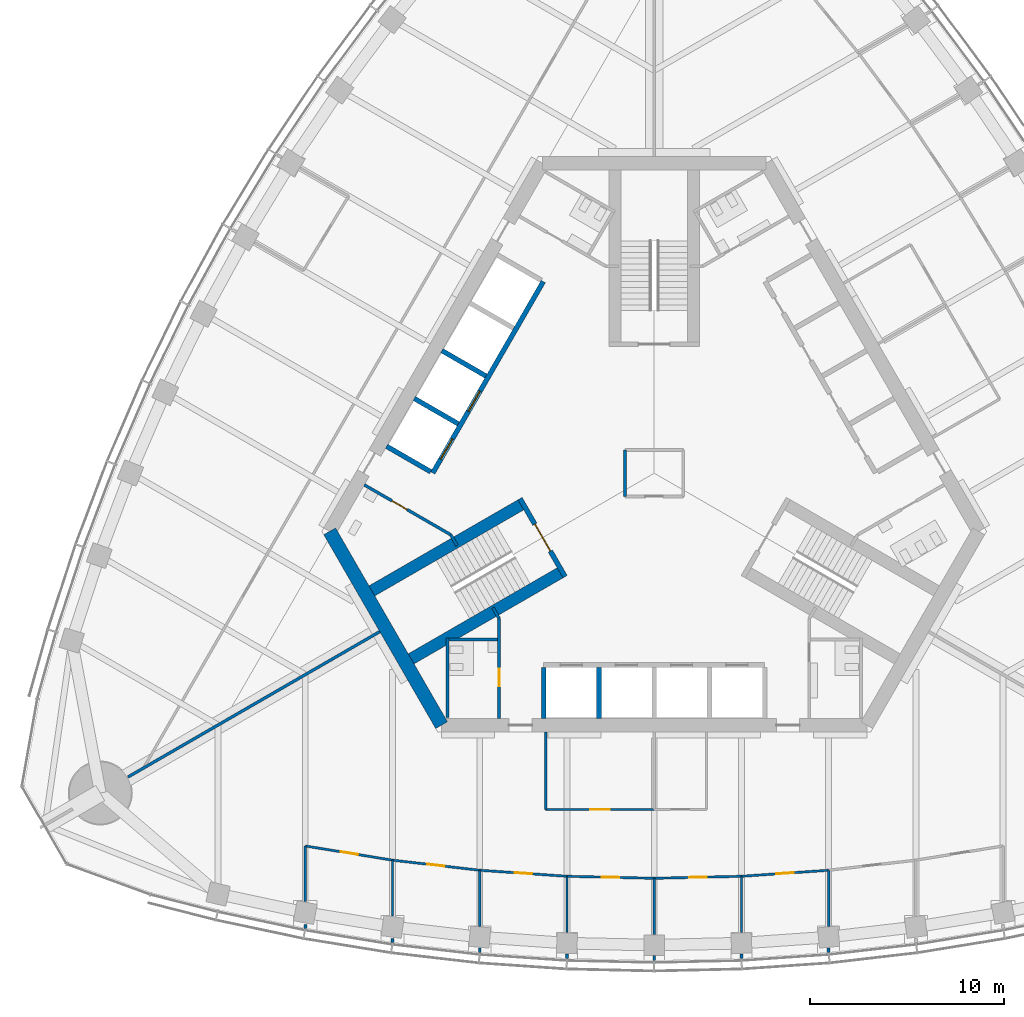
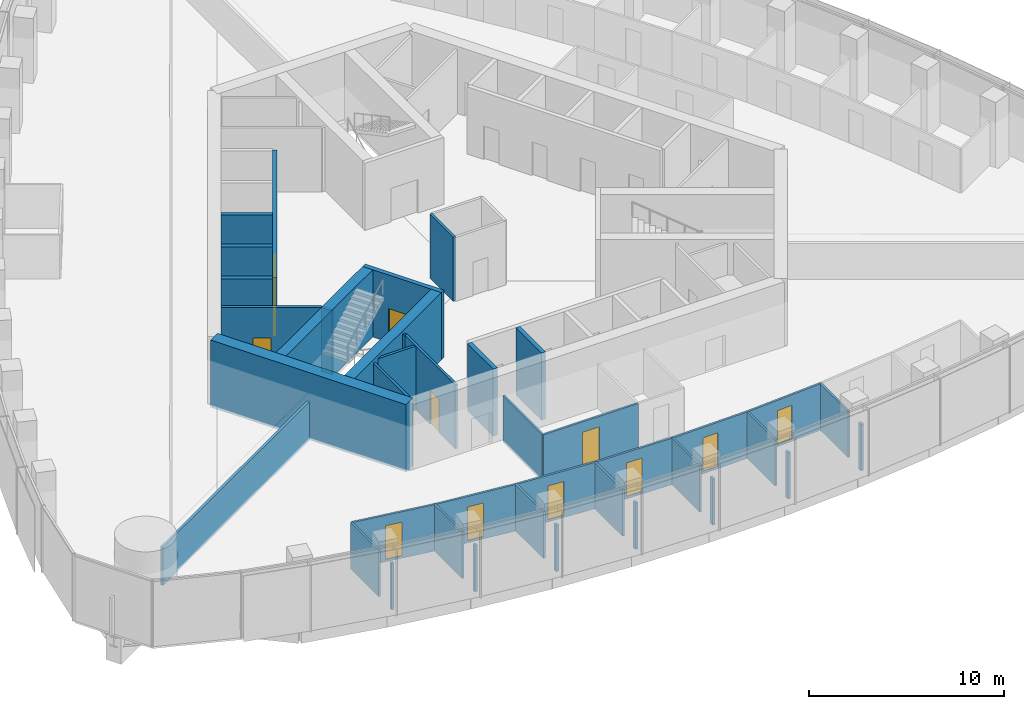
# One storey, part 11 of 20: 40 walls, 12 doors, 12 openings.
"""IFC4 building model written with IfcOpenShell, lengths in metres."""

from ifc_helpers import new_model, si_unit, direction, frame, frame_2d, origin, place, context, subcontext, project, spatial, rectangle, extrude, material, layer, layer_set, type_object, element, fill, save


model = new_model("IFC4")

# Units and contexts
model_context = context("Model", 3, precision=1e-05, world=origin(), true_north=direction((0.0, 1.0)))
body_context = subcontext(model_context, "Body", "Model", "MODEL_VIEW")
ifc_project = project(units=[si_unit("LENGTHUNIT", "METRE"), si_unit("AREAUNIT", "SQUARE_METRE"), si_unit("VOLUMEUNIT", "CUBIC_METRE"), si_unit("PLANEANGLEUNIT", "RADIAN"), si_unit("MASSUNIT", "GRAM", prefix="KILO")], contexts=[model_context])

# Site, building, storey
site_placement = place(None, origin())
site = spatial("IfcSite", under=ifc_project, at=site_placement, CompositionType="ELEMENT")
building_placement = place(site_placement, origin())
building = spatial("IfcBuilding", under=site, at=building_placement, Name="Trefoil Bronze Tower", CompositionType="ELEMENT")
storey_placement = place(building_placement, frame((0.0, 0.0, 231.699951171875)))
storey = spatial("IfcBuildingStorey", under=building, at=storey_placement, Name="L53", CompositionType="ELEMENT", Elevation=231.699951171875)

# Wall
ifc_material_1 = material(Name="Concrete B80", Category="concrete")
ifc_layer_1 = layer(ifc_material_1, 0.699951171875)
ifc_layer_set_1 = layer_set([ifc_layer_1], Name="Core wall 700")
wall_type_1 = type_object("IfcWallType", Name="Core wall 700", PredefinedType="SHEAR", material=ifc_layer_set_1)
wall_1_placement = place(storey_placement, frame((-16.7431640625, -3.0, 0.0), z_axis=(0.0, 0.0, 1.0), x_axis=(0.499995765644, -0.866027848477, 0.0)))
element("IfcWall", 1, at=wall_1_placement, inside=storey, type_object=wall_type_1, Name="Core short wall 3 L53", PredefinedType="SHEAR", context=body_context, shape_type="SweptSolid", body=[
    extrude(rectangle(XDim=11.546875, YDim=0.699951171875, at=frame_2d((5.7734375, 0.0))), origin(), (0.0, 0.0, 1.0), 4.199951171875),
])

# Wall, opening, door
ifc_material_2 = material(Name="Glazed partition", Category="glass")
ifc_layer_2 = layer(ifc_material_2, 0.1201171875)
ifc_layer_set_2 = layer_set([ifc_layer_2], Name="Glazed partition 120")
wall_type_2 = type_object("IfcWallType", Name="Glazed partition 120", PredefinedType="PARTITIONING", material=ifc_layer_set_2)
wall_2_placement = place(storey_placement, frame((-5.60009765625, -17.35009765625, 0.0), z_axis=(0.0, 0.0, 1.0), x_axis=(1.0, 0.0, 0.0)))
wall_2 = element("IfcWall", 2, at=wall_2_placement, inside=storey, type_object=wall_type_2, Name="Partition F1 L53", PredefinedType="PARTITIONING", context=body_context, shape_type="SweptSolid", body=[
    extrude(rectangle(XDim=5.60009765625, YDim=0.1201171875, at=frame_2d((2.800048828125, 0.0))), origin(), (0.0, 0.0, 1.0), 2.900146484375),
])
opening_1_placement = place(wall_2_placement, frame((2.300048828125, 0.0, 0.14990234375)))
opening_1 = element("IfcOpeningElement", 3, at=opening_1_placement, cuts=wall_2, Name="Opening D9", PredefinedType="OPENING", context=body_context, shape_type="SweptSolid", body=[
    extrude(rectangle(XDim=1.0, YDim=2.10009765625, at=frame_2d((0.5, 1.050048828125))), frame((0.0, 0.070068359375, 0.0), z_axis=(0.0, -1.0, 0.0), x_axis=(1.0, 0.0, 0.0)), (0.0, 0.0, 1.0), 0.14013671875),
])
ifc_material_3 = material(Name="Glazed timber door", Category="wood")
door_type_1 = type_object("IfcDoorType", Name="Meeting room door 1000", OperationType="SINGLE_SWING_LEFT", PredefinedType="DOOR", material=ifc_material_3)
door_1_placement = place(opening_1_placement, origin())
door_1 = element("IfcDoor", 4, at=door_1_placement, inside=storey, type_object=door_type_1, Name="Meeting room door F1 L53", OperationType="SINGLE_SWING_LEFT", OverallHeight=2.10009765625, OverallWidth=1.0, PredefinedType="DOOR", context=body_context, shape_type="SweptSolid", body=[
    extrude(rectangle(XDim=1.0, YDim=2.10009765625, at=frame_2d((0.5, 1.050048828125))), frame((0.0, 0.02490234375, 0.0), z_axis=(0.0, -1.0, 0.0), x_axis=(1.0, 0.0, 0.0)), (0.0, 0.0, 1.0), 0.050048828125),
])
fill(opening_1, door_1)

# Wall
wall_3_placement = place(storey_placement, frame((-5.60009765625, -13.35009765625, 0.0), z_axis=(0.0, 0.0, 1.0), x_axis=(0.0, -1.0, 0.0)))
element("IfcWall", 5, at=wall_3_placement, inside=storey, type_object=wall_type_2, Name="Partition F1 L53", PredefinedType="PARTITIONING", context=body_context, shape_type="SweptSolid", body=[
    extrude(rectangle(XDim=4.0, YDim=0.1201171875, at=frame_2d((2.0, 0.0))), origin(), (0.0, 0.0, 1.0), 2.900146484375),
])

# Wall, opening, door
wall_4_placement = place(storey_placement, frame((0.0, -20.900634765625, 0.0), z_axis=(0.0, 0.0, 1.0), x_axis=(0.99973552509, 0.022997388381, 0.0)))
wall_4 = element("IfcWall", 6, at=wall_4_placement, inside=storey, type_object=wall_type_2, Name="Partition F1 L53", PredefinedType="PARTITIONING", context=body_context, shape_type="SweptSolid", body=[
    extrude(rectangle(XDim=4.501220703125, YDim=0.1201171875, at=frame_2d((2.25048828125, 0.0))), origin(), (0.0, 0.0, 1.0), 2.900146484375),
])
opening_2_placement = place(wall_4_placement, frame((1.800048828125, 0.0, 0.14990234375)))
opening_2 = element("IfcOpeningElement", 7, at=opening_2_placement, cuts=wall_4, Name="Opening D8", PredefinedType="OPENING", context=body_context, shape_type="SweptSolid", body=[
    extrude(rectangle(XDim=0.89990234375, YDim=2.10009765625, at=frame_2d((0.449951171875, 1.050048828125))), frame((0.0, 0.070068359375, 0.0), z_axis=(0.0, -1.0, 0.0), x_axis=(1.0, 0.0, 0.0)), (0.0, 0.0, 1.0), 0.14013671875),
])
ifc_material_4 = material(Name="Timber door", Category="wood")
door_type_2 = type_object("IfcDoorType", Name="Office door 900", OperationType="SINGLE_SWING_LEFT", PredefinedType="DOOR", material=ifc_material_4)
door_2_placement = place(opening_2_placement, frame((0.89990234375, 0.0, 0.0), z_axis=(0.0, 0.0, 1.0), x_axis=(-1.0, 0.0, 0.0)))
door_2 = element("IfcDoor", 8, at=door_2_placement, inside=storey, type_object=door_type_2, Name="Office door F1 L53", OperationType="SINGLE_SWING_RIGHT", OverallHeight=2.10009765625, OverallWidth=0.89990234375, PredefinedType="DOOR", context=body_context, shape_type="SweptSolid", body=[
    extrude(rectangle(XDim=0.89990234375, YDim=2.10009765625, at=frame_2d((0.449951171875, 1.050048828125))), frame((0.0, 0.02490234375, 0.0), z_axis=(0.0, -1.0, 0.0), x_axis=(1.0, 0.0, 0.0)), (0.0, 0.0, 1.0), 0.050048828125),
])
fill(opening_2, door_2)

wall_5_placement = place(storey_placement, frame((4.5, -20.797119140625, 0.0), z_axis=(0.0, 0.0, 1.0), x_axis=(0.997623533978, 0.068900540297, 0.0)))
wall_5 = element("IfcWall", 9, at=wall_5_placement, inside=storey, type_object=wall_type_2, Name="Partition F1 L53", PredefinedType="PARTITIONING", context=body_context, shape_type="SweptSolid", body=[
    extrude(rectangle(XDim=4.5107421875, YDim=0.1201171875, at=frame_2d((2.25537109375, 0.0))), origin(), (0.0, 0.0, 1.0), 2.900146484375),
])
opening_3_placement = place(wall_5_placement, frame((1.800048828125, 0.0, 0.14990234375)))
opening_3 = element("IfcOpeningElement", 10, at=opening_3_placement, cuts=wall_5, Name="Opening D8", PredefinedType="OPENING", context=body_context, shape_type="SweptSolid", body=[
    extrude(rectangle(XDim=0.89990234375, YDim=2.10009765625, at=frame_2d((0.449951171875, 1.050048828125))), frame((0.0, 0.070068359375, 0.0), z_axis=(0.0, -1.0, 0.0), x_axis=(1.0, 0.0, 0.0)), (0.0, 0.0, 1.0), 0.14013671875),
])
door_3_placement = place(opening_3_placement, frame((0.89990234375, 0.0, 0.0), z_axis=(0.0, 0.0, 1.0), x_axis=(-1.0, 0.0, 0.0)))
door_3 = element("IfcDoor", 11, at=door_3_placement, inside=storey, type_object=door_type_2, Name="Office door F1 L53", OperationType="SINGLE_SWING_RIGHT", OverallHeight=2.10009765625, OverallWidth=0.89990234375, PredefinedType="DOOR", context=body_context, shape_type="SweptSolid", body=[
    extrude(rectangle(XDim=0.89990234375, YDim=2.10009765625, at=frame_2d((0.449951171875, 1.050048828125))), frame((0.0, 0.02490234375, 0.0), z_axis=(0.0, -1.0, 0.0), x_axis=(1.0, 0.0, 0.0)), (0.0, 0.0, 1.0), 0.050048828125),
])
fill(opening_3, door_3)

wall_6_placement = place(storey_placement, frame((-13.5, -19.966064453125, 0.0), z_axis=(0.0, 0.0, 1.0), x_axis=(0.993382946625, -0.114849124309, 0.0)))
wall_6 = element("IfcWall", 12, at=wall_6_placement, inside=storey, type_object=wall_type_2, Name="Partition F1 L53", PredefinedType="PARTITIONING", context=body_context, shape_type="SweptSolid", body=[
    extrude(rectangle(XDim=4.530029296875, YDim=0.1201171875, at=frame_2d((2.26513671875, 0.0))), origin(), (0.0, 0.0, 1.0), 2.900146484375),
])
opening_4_placement = place(wall_6_placement, frame((1.800048828125, 0.0, 0.14990234375)))
opening_4 = element("IfcOpeningElement", 13, at=opening_4_placement, cuts=wall_6, Name="Opening D8", PredefinedType="OPENING", context=body_context, shape_type="SweptSolid", body=[
    extrude(rectangle(XDim=0.89990234375, YDim=2.10009765625, at=frame_2d((0.449951171875, 1.050048828125))), frame((0.0, 0.070068359375, 0.0), z_axis=(0.0, -1.0, 0.0), x_axis=(1.0, 0.0, 0.0)), (0.0, 0.0, 1.0), 0.14013671875),
])
door_4_placement = place(opening_4_placement, frame((0.89990234375, 0.0, 0.0), z_axis=(0.0, 0.0, 1.0), x_axis=(-1.0, 0.0, 0.0)))
door_4 = element("IfcDoor", 14, at=door_4_placement, inside=storey, type_object=door_type_2, Name="Office door F1 L53", OperationType="SINGLE_SWING_RIGHT", OverallHeight=2.10009765625, OverallWidth=0.89990234375, PredefinedType="DOOR", context=body_context, shape_type="SweptSolid", body=[
    extrude(rectangle(XDim=0.89990234375, YDim=2.10009765625, at=frame_2d((0.449951171875, 1.050048828125))), frame((0.0, 0.02490234375, 0.0), z_axis=(0.0, -1.0, 0.0), x_axis=(1.0, 0.0, 0.0)), (0.0, 0.0, 1.0), 0.050048828125),
])
fill(opening_4, door_4)

wall_7_placement = place(storey_placement, frame((-18.0, -19.23291015625, 0.0), z_axis=(0.0, 0.0, 1.0), x_axis=(0.986986525477, -0.160802980469, 0.0)))
wall_7 = element("IfcWall", 15, at=wall_7_placement, inside=storey, type_object=wall_type_2, Name="Partition F1 L53", PredefinedType="PARTITIONING", context=body_context, shape_type="SweptSolid", body=[
    extrude(rectangle(XDim=4.559326171875, YDim=0.1201171875, at=frame_2d((2.27978515625, 0.0))), origin(), (0.0, 0.0, 1.0), 2.900146484375),
])
opening_5_placement = place(wall_7_placement, frame((1.85009765625, 0.0, 0.14990234375)))
opening_5 = element("IfcOpeningElement", 16, at=opening_5_placement, cuts=wall_7, Name="Opening D8", PredefinedType="OPENING", context=body_context, shape_type="SweptSolid", body=[
    extrude(rectangle(XDim=0.89990234375, YDim=2.10009765625, at=frame_2d((0.449951171875, 1.050048828125))), frame((0.0, 0.070068359375, 0.0), z_axis=(0.0, -1.0, 0.0), x_axis=(1.0, 0.0, 0.0)), (0.0, 0.0, 1.0), 0.14013671875),
])
door_5_placement = place(opening_5_placement, frame((0.89990234375, 0.0, 0.0), z_axis=(0.0, 0.0, 1.0), x_axis=(-1.0, 0.0, 0.0)))
door_5 = element("IfcDoor", 17, at=door_5_placement, inside=storey, type_object=door_type_2, Name="Office door F1 L53", OperationType="SINGLE_SWING_LEFT", OverallHeight=2.10009765625, OverallWidth=0.89990234375, PredefinedType="DOOR", context=body_context, shape_type="SweptSolid", body=[
    extrude(rectangle(XDim=0.89990234375, YDim=2.10009765625, at=frame_2d((0.449951171875, 1.050048828125))), frame((0.0, 0.02490234375, 0.0), z_axis=(0.0, -1.0, 0.0), x_axis=(1.0, 0.0, 0.0)), (0.0, 0.0, 1.0), 0.050048828125),
])
fill(opening_5, door_5)

wall_8_placement = place(storey_placement, frame((-4.5, -20.797119140625, 0.0), z_axis=(0.0, 0.0, 1.0), x_axis=(0.99973552509, -0.022997388381, 0.0)))
wall_8 = element("IfcWall", 18, at=wall_8_placement, inside=storey, type_object=wall_type_2, Name="Partition F1 L53", PredefinedType="PARTITIONING", context=body_context, shape_type="SweptSolid", body=[
    extrude(rectangle(XDim=4.501220703125, YDim=0.1201171875, at=frame_2d((2.25048828125, 0.0))), origin(), (0.0, 0.0, 1.0), 2.900146484375),
])
opening_6_placement = place(wall_8_placement, frame((1.800048828125, 0.0, 0.14990234375)))
opening_6 = element("IfcOpeningElement", 19, at=opening_6_placement, cuts=wall_8, Name="Opening D8", PredefinedType="OPENING", context=body_context, shape_type="SweptSolid", body=[
    extrude(rectangle(XDim=0.89990234375, YDim=2.10009765625, at=frame_2d((0.449951171875, 1.050048828125))), frame((0.0, 0.070068359375, 0.0), z_axis=(0.0, -1.0, 0.0), x_axis=(1.0, 0.0, 0.0)), (0.0, 0.0, 1.0), 0.14013671875),
])
door_6_placement = place(opening_6_placement, frame((0.89990234375, 0.0, 0.0), z_axis=(0.0, 0.0, 1.0), x_axis=(-1.0, 0.0, 0.0)))
door_6 = element("IfcDoor", 20, at=door_6_placement, inside=storey, type_object=door_type_2, Name="Office door F1 L53", OperationType="SINGLE_SWING_RIGHT", OverallHeight=2.10009765625, OverallWidth=0.89990234375, PredefinedType="DOOR", context=body_context, shape_type="SweptSolid", body=[
    extrude(rectangle(XDim=0.89990234375, YDim=2.10009765625, at=frame_2d((0.449951171875, 1.050048828125))), frame((0.0, 0.02490234375, 0.0), z_axis=(0.0, -1.0, 0.0), x_axis=(1.0, 0.0, 0.0)), (0.0, 0.0, 1.0), 0.050048828125),
])
fill(opening_6, door_6)

wall_9_placement = place(storey_placement, frame((-9.0, -20.486328125, 0.0), z_axis=(0.0, 0.0, 1.0), x_axis=(0.997623533978, -0.068900540297, 0.0)))
wall_9 = element("IfcWall", 21, at=wall_9_placement, inside=storey, type_object=wall_type_2, Name="Partition F1 L53", PredefinedType="PARTITIONING", context=body_context, shape_type="SweptSolid", body=[
    extrude(rectangle(XDim=4.5107421875, YDim=0.1201171875, at=frame_2d((2.25537109375, 0.0))), origin(), (0.0, 0.0, 1.0), 2.900146484375),
])
opening_7_placement = place(wall_9_placement, frame((1.800048828125, 0.0, 0.14990234375)))
opening_7 = element("IfcOpeningElement", 22, at=opening_7_placement, cuts=wall_9, Name="Opening D8", PredefinedType="OPENING", context=body_context, shape_type="SweptSolid", body=[
    extrude(rectangle(XDim=0.89990234375, YDim=2.10009765625, at=frame_2d((0.449951171875, 1.050048828125))), frame((0.0, 0.070068359375, 0.0), z_axis=(0.0, -1.0, 0.0), x_axis=(1.0, 0.0, 0.0)), (0.0, 0.0, 1.0), 0.14013671875),
])
door_7_placement = place(opening_7_placement, frame((0.89990234375, 0.0, 0.0), z_axis=(0.0, 0.0, 1.0), x_axis=(-1.0, 0.0, 0.0)))
door_7 = element("IfcDoor", 23, at=door_7_placement, inside=storey, type_object=door_type_2, Name="Office door F1 L53", OperationType="SINGLE_SWING_RIGHT", OverallHeight=2.10009765625, OverallWidth=0.89990234375, PredefinedType="DOOR", context=body_context, shape_type="SweptSolid", body=[
    extrude(rectangle(XDim=0.89990234375, YDim=2.10009765625, at=frame_2d((0.449951171875, 1.050048828125))), frame((0.0, 0.02490234375, 0.0), z_axis=(0.0, -1.0, 0.0), x_axis=(1.0, 0.0, 0.0)), (0.0, 0.0, 1.0), 0.050048828125),
])
fill(opening_7, door_7)

# Walls
wall_10_placement = place(storey_placement, frame((0.0, -20.900634765625, 0.0), z_axis=(0.0, 0.0, 1.0), x_axis=(0.0, -1.0, 0.0)))
element("IfcWall", 24, at=wall_10_placement, inside=storey, type_object=wall_type_2, Name="Partition F1 L53", PredefinedType="PARTITIONING", context=body_context, shape_type="SweptSolid", body=[
    extrude(rectangle(XDim=2.89501953125, YDim=0.1201171875, at=frame_2d((1.447509765625, 0.0))), origin(), (0.0, 0.0, 1.0), 2.900146484375),
])
wall_11_placement = place(storey_placement, frame((4.5, -20.797119140625, 0.0), z_axis=(0.0, 0.0, 1.0), x_axis=(0.0, -1.0, 0.0)))
element("IfcWall", 25, at=wall_11_placement, inside=storey, type_object=wall_type_2, Name="Partition F1 L53", PredefinedType="PARTITIONING", context=body_context, shape_type="SweptSolid", body=[
    extrude(rectangle(XDim=2.893798828125, YDim=0.1201171875, at=frame_2d((1.44677734375, 0.0))), origin(), (0.0, 0.0, 1.0), 2.900146484375),
])
wall_12_placement = place(storey_placement, frame((9.0, -20.486328125, 0.0), z_axis=(0.0, 0.0, 1.0), x_axis=(0.0, -1.0, 0.0)))
element("IfcWall", 26, at=wall_12_placement, inside=storey, type_object=wall_type_2, Name="Partition F1 L53", PredefinedType="PARTITIONING", context=body_context, shape_type="SweptSolid", body=[
    extrude(rectangle(XDim=2.889404296875, YDim=0.1201171875, at=frame_2d((1.44482421875, 0.0))), origin(), (0.0, 0.0, 1.0), 2.900146484375),
])
wall_13_placement = place(storey_placement, frame((-13.5, -19.966064453125, 0.0), z_axis=(0.0, 0.0, 1.0), x_axis=(0.0, -1.0, 0.0)))
element("IfcWall", 27, at=wall_13_placement, inside=storey, type_object=wall_type_2, Name="Partition F1 L53", PredefinedType="PARTITIONING", context=body_context, shape_type="SweptSolid", body=[
    extrude(rectangle(XDim=2.882080078125, YDim=0.1201171875, at=frame_2d((1.44091796875, 0.0))), origin(), (0.0, 0.0, 1.0), 2.900146484375),
])
wall_14_placement = place(storey_placement, frame((-18.0, -19.23291015625, 0.0), z_axis=(0.0, 0.0, 1.0), x_axis=(0.0, -1.0, 0.0)))
element("IfcWall", 28, at=wall_14_placement, inside=storey, type_object=wall_type_2, Name="Partition F1 L53", PredefinedType="PARTITIONING", context=body_context, shape_type="SweptSolid", body=[
    extrude(rectangle(XDim=2.87158203125, YDim=0.1201171875, at=frame_2d((1.435791015625, 0.0))), origin(), (0.0, 0.0, 1.0), 2.900146484375),
])
wall_15_placement = place(storey_placement, frame((-4.5, -20.797119140625, 0.0), z_axis=(0.0, 0.0, 1.0), x_axis=(0.0, -1.0, 0.0)))
element("IfcWall", 29, at=wall_15_placement, inside=storey, type_object=wall_type_2, Name="Partition F1 L53", PredefinedType="PARTITIONING", context=body_context, shape_type="SweptSolid", body=[
    extrude(rectangle(XDim=2.893798828125, YDim=0.1201171875, at=frame_2d((1.44677734375, 0.0))), origin(), (0.0, 0.0, 1.0), 2.900146484375),
])
wall_16_placement = place(storey_placement, frame((-9.0, -20.486328125, 0.0), z_axis=(0.0, 0.0, 1.0), x_axis=(0.0, -1.0, 0.0)))
element("IfcWall", 30, at=wall_16_placement, inside=storey, type_object=wall_type_2, Name="Partition F1 L53", PredefinedType="PARTITIONING", context=body_context, shape_type="SweptSolid", body=[
    extrude(rectangle(XDim=2.889404296875, YDim=0.1201171875, at=frame_2d((1.44482421875, 0.0))), origin(), (0.0, 0.0, 1.0), 2.900146484375),
])

# Wall, opening, door
ifc_material_5 = material(Name="Gypsum board on steel studs", Category="steel")
ifc_layer_3 = layer(ifc_material_5, 0.14990234375)
ifc_layer_set_3 = layer_set([ifc_layer_3], Name="Partition 150")
wall_type_3 = type_object("IfcWallType", Name="Partition 150", PredefinedType="PARTITIONING", material=ifc_layer_set_3)
wall_17_placement = place(storey_placement, frame((-8.0, -7.5, 0.0), z_axis=(0.0, 0.0, 1.0), x_axis=(0.0, -1.0, 0.0)))
wall_17 = element("IfcWall", 31, at=wall_17_placement, inside=storey, type_object=wall_type_3, Name="Passage wall F1- L53", PredefinedType="PARTITIONING", context=body_context, shape_type="SweptSolid", body=[
    extrude(rectangle(XDim=5.14990234375, YDim=0.14990234375, at=frame_2d((2.574951171875, 0.0))), origin(), (0.0, 0.0, 1.0), 4.0),
])
opening_8_placement = place(wall_17_placement, frame((2.60009765625, 0.0, 0.0)))
opening_8 = element("IfcOpeningElement", 32, at=opening_8_placement, cuts=wall_17, Name="Opening D3", PredefinedType="OPENING", context=body_context, shape_type="SweptSolid", body=[
    extrude(rectangle(XDim=0.89990234375, YDim=2.10009765625, at=frame_2d((0.449951171875, 1.050048828125))), frame((0.0, 0.0849609375, 0.0), z_axis=(0.0, -1.0, 0.0), x_axis=(1.0, 0.0, 0.0)), (0.0, 0.0, 1.0), 0.169921875),
])
ifc_material_6 = material(Name="Timber door", Category="wood")
door_type_3 = type_object("IfcDoorType", Name="WC door 900", OperationType="SINGLE_SWING_LEFT", PredefinedType="DOOR", material=ifc_material_6)
door_8_placement = place(opening_8_placement, frame((0.89990234375, 0.0, 0.0), z_axis=(0.0, 0.0, 1.0), x_axis=(-1.0, 0.0, 0.0)))
door_8 = element("IfcDoor", 33, at=door_8_placement, inside=storey, type_object=door_type_3, Name="WC (women) door L53", OperationType="SINGLE_SWING_RIGHT", OverallHeight=2.10009765625, OverallWidth=0.89990234375, PredefinedType="DOOR", context=body_context, shape_type="SweptSolid", body=[
    extrude(rectangle(XDim=0.89990234375, YDim=2.10009765625, at=frame_2d((0.449951171875, 1.050048828125))), frame((0.0, 0.02490234375, 0.0), z_axis=(0.0, -1.0, 0.0), x_axis=(1.0, 0.0, 0.0)), (0.0, 0.0, 1.0), 0.050048828125),
])
fill(opening_8, door_8)

wall_18_placement = place(storey_placement, frame((-10.4951171875, -3.17822265625, 0.0), z_axis=(0.0, 0.0, 1.0), x_axis=(-0.866037967349, 0.499978238636, 0.0)))
wall_18 = element("IfcWall", 34, at=wall_18_placement, inside=storey, type_object=wall_type_3, Name="Passage wall F3+ L53", PredefinedType="PARTITIONING", context=body_context, shape_type="SweptSolid", body=[
    extrude(rectangle(XDim=5.150146484375, YDim=0.14990234375, at=frame_2d((2.5751953125, 0.0))), origin(), (0.0, 0.0, 1.0), 4.0),
])
opening_9_placement = place(wall_18_placement, frame((2.60009765625, 0.0, 0.0)))
opening_9 = element("IfcOpeningElement", 35, at=opening_9_placement, cuts=wall_18, Name="Opening D3", PredefinedType="OPENING", context=body_context, shape_type="SweptSolid", body=[
    extrude(rectangle(XDim=0.89990234375, YDim=2.10009765625, at=frame_2d((0.449951171875, 1.050048828125))), frame((0.0, 0.0849609375, 0.0), z_axis=(0.0, -1.0, 0.0), x_axis=(1.0, 0.0, 0.0)), (0.0, 0.0, 1.0), 0.169921875),
])
door_9_placement = place(opening_9_placement, origin())
door_9 = element("IfcDoor", 36, at=door_9_placement, inside=storey, type_object=door_type_3, Name="Accessible WC door L53", OperationType="SINGLE_SWING_RIGHT", OverallHeight=2.10009765625, OverallWidth=0.89990234375, PredefinedType="DOOR", context=body_context, shape_type="SweptSolid", body=[
    extrude(rectangle(XDim=0.89990234375, YDim=2.10009765625, at=frame_2d((0.449951171875, 1.050048828125))), frame((0.0, 0.02490234375, 0.0), z_axis=(0.0, -1.0, 0.0), x_axis=(1.0, 0.0, 0.0)), (0.0, 0.0, 1.0), 0.050048828125),
])
fill(opening_9, door_9)

# Walls
for number, where, z_axis, x_axis, name in (
    (37, (-10.4951171875, -3.17822265625, 0.0), (0.0, 0.0, 1.0), (0.499842556608, -0.866116284689, 0.0), "WC wall ST3-1 L53"),
    (38, (-8.0, -7.5, 0.0), (0.0, 0.0, 1.0), (-0.499842556608, 0.866116284689, 0.0), "WC wall ST3+1 L53"),
):
    element("IfcWall", number, at=place(storey_placement, frame(where, z_axis=z_axis, x_axis=x_axis)), inside=storey, type_object=wall_type_3, Name=name, PredefinedType="PARTITIONING", context=body_context, shape_type="SweptSolid", body=[
        extrude(rectangle(XDim=0.645263671875, YDim=0.14990234375, at=frame_2d((0.32275390625, 0.0))), origin(), (0.0, 0.0, 1.0), 4.0),
    ])
wall_19_placement = place(storey_placement, frame((-10.659912109375, -8.5, 0.0), z_axis=(0.0, 0.0, 1.0), x_axis=(0.0, -1.0, 0.0)))
element("IfcWall", 39, at=wall_19_placement, inside=storey, type_object=wall_type_3, Name="WC partition WC (women) L53", PredefinedType="PARTITIONING", context=body_context, shape_type="SweptSolid", body=[
    extrude(rectangle(XDim=4.10009765625, YDim=0.14990234375, at=frame_2d((2.050048828125, 0.0))), origin(), (0.0, 0.0, 1.0), 4.0),
])
wall_20_placement = place(storey_placement, frame((-8.074951171875, -8.574951171875, 0.0), z_axis=(0.0, 0.0, 1.0), x_axis=(-1.0, 0.0, 0.0)))
element("IfcWall", 40, at=wall_20_placement, inside=storey, type_object=wall_type_3, Name="WC partition WC (women) L53", PredefinedType="PARTITIONING", context=body_context, shape_type="SweptSolid", body=[
    extrude(rectangle(XDim=2.510009765625, YDim=0.14990234375, at=frame_2d((1.2548828125, 0.0))), origin(), (0.0, 0.0, 1.0), 4.0),
])
wall_21_placement = place(storey_placement, frame((4.5, -24.799072265625, 0.0), z_axis=(0.0, 0.0, 1.0), x_axis=(0.0, -1.0, 0.0)))
element("IfcWall", 41, at=wall_21_placement, inside=storey, type_object=wall_type_3, Name="Partition F1 L53", PredefinedType="PARTITIONING", context=body_context, shape_type="SweptSolid", body=[
    extrude(rectangle(XDim=0.2431640625, YDim=0.14990234375, at=frame_2d((0.12158203125, 0.0))), origin(), (0.0, 0.0, 1.0), 2.900146484375),
])
wall_22_placement = place(storey_placement, frame((9.0, -24.508056640625, 0.0), z_axis=(0.0, 0.0, 1.0), x_axis=(0.0, -1.0, 0.0)))
element("IfcWall", 42, at=wall_22_placement, inside=storey, type_object=wall_type_3, Name="Partition F1 L53", PredefinedType="PARTITIONING", context=body_context, shape_type="SweptSolid", body=[
    extrude(rectangle(XDim=0.223388671875, YDim=0.14990234375, at=frame_2d((0.11181640625, 0.0))), origin(), (0.0, 0.0, 1.0), 2.900146484375),
])
wall_23_placement = place(storey_placement, frame((0.0, -24.879638671875, 0.0), z_axis=(0.0, 0.0, 1.0), x_axis=(0.0, -1.0, 0.0)))
element("IfcWall", 43, at=wall_23_placement, inside=storey, type_object=wall_type_3, Name="Partition F1 L53", PredefinedType="PARTITIONING", context=body_context, shape_type="SweptSolid", body=[
    extrude(rectangle(XDim=0.26611328125, YDim=0.14990234375, at=frame_2d((0.133056640625, 0.0))), origin(), (0.0, 0.0, 1.0), 2.900146484375),
])
wall_24_placement = place(storey_placement, frame((-13.5, -24.0048828125, 0.0), z_axis=(0.0, 0.0, 1.0), x_axis=(0.0, -1.0, 0.0)))
element("IfcWall", 44, at=wall_24_placement, inside=storey, type_object=wall_type_3, Name="Partition F1 L53", PredefinedType="PARTITIONING", context=body_context, shape_type="SweptSolid", body=[
    extrude(rectangle(XDim=0.206298828125, YDim=0.14990234375, at=frame_2d((0.10302734375, 0.0))), origin(), (0.0, 0.0, 1.0), 2.900146484375),
])
wall_25_placement = place(storey_placement, frame((-18.0, -23.285888671875, 0.0), z_axis=(0.0, 0.0, 1.0), x_axis=(0.0, -1.0, 0.0)))
element("IfcWall", 45, at=wall_25_placement, inside=storey, type_object=wall_type_3, Name="Partition F1 L53", PredefinedType="PARTITIONING", context=body_context, shape_type="SweptSolid", body=[
    extrude(rectangle(XDim=0.192138671875, YDim=0.14990234375, at=frame_2d((0.09619140625, 0.0))), origin(), (0.0, 0.0, 1.0), 2.900146484375),
])
wall_26_placement = place(storey_placement, frame((-4.5, -24.799072265625, 0.0), z_axis=(0.0, 0.0, 1.0), x_axis=(0.0, -1.0, 0.0)))
element("IfcWall", 46, at=wall_26_placement, inside=storey, type_object=wall_type_3, Name="Partition F1 L53", PredefinedType="PARTITIONING", context=body_context, shape_type="SweptSolid", body=[
    extrude(rectangle(XDim=0.2431640625, YDim=0.14990234375, at=frame_2d((0.12158203125, 0.0))), origin(), (0.0, 0.0, 1.0), 2.900146484375),
])
wall_27_placement = place(storey_placement, frame((-9.0, -24.508056640625, 0.0), z_axis=(0.0, 0.0, 1.0), x_axis=(0.0, -1.0, 0.0)))
element("IfcWall", 47, at=wall_27_placement, inside=storey, type_object=wall_type_3, Name="Partition F1 L53", PredefinedType="PARTITIONING", context=body_context, shape_type="SweptSolid", body=[
    extrude(rectangle(XDim=0.223388671875, YDim=0.14990234375, at=frame_2d((0.11181640625, 0.0))), origin(), (0.0, 0.0, 1.0), 2.900146484375),
])
ifc_material_7 = material(Name="Gypsum board on steel studs", Category="steel")
ifc_layer_4 = layer(ifc_material_7, 0.14990234375)
ifc_layer_set_4 = layer_set([ifc_layer_4], Name="Party wall 150")
wall_type_4 = type_object("IfcWallType", Name="Party wall 150", PredefinedType="PARTITIONING", material=ifc_layer_set_4)
wall_28_placement = place(storey_placement, frame((-14.159423828125, -8.175048828125, 0.0), z_axis=(0.0, 0.0, 1.0), x_axis=(-0.866027028085, -0.499997186618, 0.0)))
element("IfcWall", 48, at=wall_28_placement, inside=storey, type_object=wall_type_4, Name="Party wall K3 L53", PredefinedType="PARTITIONING", context=body_context, shape_type="SweptSolid", body=[
    extrude(rectangle(XDim=15.0, YDim=0.14990234375, at=frame_2d((7.5, 0.0))), origin(), (0.0, 0.0, 1.0), 2.400146484375),
])
ifc_material_8 = material(Name="Gypsum board on steel studs", Category="steel")
ifc_layer_5 = layer(ifc_material_8, 0.14990234375)
ifc_layer_set_5 = layer_set([ifc_layer_5], Name="Riser wall 150")
wall_type_5 = type_object("IfcWallType", Name="Riser wall 150", PredefinedType="PARTITIONING", material=ifc_layer_set_5)
wall_29_placement = place(storey_placement, frame((-1.5, 1.199951171875, 0.0), z_axis=(0.0, 0.0, 1.0), x_axis=(0.0, -1.0, 0.0)))
element("IfcWall", 49, at=wall_29_placement, inside=storey, type_object=wall_type_5, Name="Riser wall L53", PredefinedType="PARTITIONING", context=body_context, shape_type="SweptSolid", body=[
    extrude(rectangle(XDim=2.39990234375, YDim=0.14990234375, at=frame_2d((1.199951171875, 0.0))), origin(), (0.0, 0.0, 1.0), 4.0),
])
ifc_material_9 = material(Name="Concrete B80", Category="concrete")
ifc_layer_6 = layer(ifc_material_9, 0.25)
ifc_layer_set_6 = layer_set([ifc_layer_6], Name="Shaft wall 250")
wall_type_6 = type_object("IfcWallType", Name="Shaft wall 250", PredefinedType="SHEAR", material=ifc_layer_set_6)
for number, where, z_axis, x_axis, name in (
    (50, (-5.699951171875, -10.02490234375, 0.0), (0.0, 0.0, 1.0), (0.0, -1.0, 0.0), "Lift shaft side wall A0 L53"),
    (51, (-2.85009765625, -10.02490234375, 0.0), (0.0, 0.0, 1.0), (0.0, -1.0, 0.0), "Lift shaft side wall A1 L53"),
):
    element("IfcWall", number, at=place(storey_placement, frame(where, z_axis=z_axis, x_axis=x_axis)), inside=storey, type_object=wall_type_6, Name=name, PredefinedType="SHEAR", context=body_context, shape_type="SweptSolid", body=[
        extrude(rectangle(XDim=2.625, YDim=0.25, at=frame_2d((1.3125, 0.0))), origin(), (0.0, 0.0, 1.0), 4.199951171875),
    ])

# Wall, openings, doors
wall_30_placement = place(storey_placement, frame((-5.7236328125, 9.88623046875, 0.0), z_axis=(0.0, 0.0, 1.0), x_axis=(-0.500001763848, -0.866024385424, 0.0)))
wall_30 = element("IfcWall", 52, at=wall_30_placement, inside=storey, type_object=wall_type_6, Name="Lift shaft front wall C L53", PredefinedType="SHEAR", context=body_context, shape_type="SweptSolid", body=[
    extrude(rectangle(XDim=11.39990234375, YDim=0.25, at=frame_2d((5.699951171875, 0.0))), origin(), (0.0, 0.0, 1.0), 4.199951171875),
])
opening_10_placement = place(wall_30_placement, frame((6.52490234375, 0.0, 0.0)))
opening_10 = element("IfcOpeningElement", 53, at=opening_10_placement, cuts=wall_30, Name="Opening LD-FL1", PredefinedType="OPENING", context=body_context, shape_type="SweptSolid", body=[
    extrude(rectangle(XDim=1.199951171875, YDim=2.199951171875, at=frame_2d((0.60009765625, 1.10009765625))), frame((0.0, 0.135009765625, 0.0), z_axis=(0.0, -1.0, 0.0), x_axis=(1.0, 0.0, 0.0)), (0.0, 0.0, 1.0), 0.27001953125),
])
opening_11_placement = place(wall_30_placement, frame((9.375, 0.0, 0.0)))
opening_11 = element("IfcOpeningElement", 54, at=opening_11_placement, cuts=wall_30, Name="Opening LD-FL2", PredefinedType="OPENING", context=body_context, shape_type="SweptSolid", body=[
    extrude(rectangle(XDim=1.199951171875, YDim=2.199951171875, at=frame_2d((0.60009765625, 1.10009765625))), frame((0.0, 0.135009765625, 0.0), z_axis=(0.0, -1.0, 0.0), x_axis=(1.0, 0.0, 0.0)), (0.0, 0.0, 1.0), 0.27001953125),
])
ifc_material_10 = material(Name="Steel door", Category="steel")
door_type_4 = type_object("IfcDoorType", Name="Lift landing door 1200", OperationType="DOUBLE_DOOR_SLIDING", PredefinedType="DOOR", material=ifc_material_10)
door_10_placement = place(opening_10_placement, origin())
door_10 = element("IfcDoor", 55, at=door_10_placement, inside=storey, type_object=door_type_4, Name="Lift FL1 landing door L53", OperationType="DOUBLE_DOOR_SLIDING", OverallHeight=2.199951171875, OverallWidth=1.199951171875, PredefinedType="DOOR", context=body_context, shape_type="SweptSolid", body=[
    extrude(rectangle(XDim=1.199951171875, YDim=2.199951171875, at=frame_2d((0.60009765625, 1.10009765625))), frame((0.0, 0.02490234375, 0.0), z_axis=(0.0, -1.0, 0.0), x_axis=(1.0, 0.0, 0.0)), (0.0, 0.0, 1.0), 0.050048828125),
])
fill(opening_10, door_10)
door_11_placement = place(opening_11_placement, origin())
door_11 = element("IfcDoor", 56, at=door_11_placement, inside=storey, type_object=door_type_4, Name="Lift FL2 landing door L53", OperationType="DOUBLE_DOOR_SLIDING", OverallHeight=2.199951171875, OverallWidth=1.199951171875, PredefinedType="DOOR", context=body_context, shape_type="SweptSolid", body=[
    extrude(rectangle(XDim=1.199951171875, YDim=2.199951171875, at=frame_2d((0.60009765625, 1.10009765625))), frame((0.0, 0.02490234375, 0.0), z_axis=(0.0, -1.0, 0.0), x_axis=(1.0, 0.0, 0.0)), (0.0, 0.0, 1.0), 0.050048828125),
])
fill(opening_11, door_11)

# Walls
for number, where, z_axis, x_axis, name in (
    (57, (-8.681884765625, 5.012451171875, 0.0), (0.0, 0.0, 1.0), (-0.866036909293, 0.499980071345, 0.0), "Lift shaft side wall C2 L53"),
    (58, (-10.10693359375, 2.54443359375, 0.0), (0.0, 0.0, 1.0), (-0.866013657776, 0.500020344131, 0.0), "Lift shaft side wall C3 L53"),
    (59, (-11.531982421875, 0.076171875, 0.0), (0.0, 0.0, 1.0), (-0.866013657776, 0.500020344131, 0.0), "Lift shaft side wall C4 L53"),
):
    element("IfcWall", number, at=place(storey_placement, frame(where, z_axis=z_axis, x_axis=x_axis)), inside=storey, type_object=wall_type_6, Name=name, PredefinedType="SHEAR", context=body_context, shape_type="SweptSolid", body=[
        extrude(rectangle(XDim=2.625, YDim=0.25, at=frame_2d((1.3125, 0.0))), origin(), (0.0, 0.0, 1.0), 4.199951171875),
    ])

# Wall, opening, door
wall_31_placement = place(storey_placement, frame((-6.921630859375, -1.3115234375, 0.0), z_axis=(0.0, 0.0, 1.0), x_axis=(0.499984536904, -0.866034331223, 0.0)))
wall_31 = element("IfcWall", 60, at=wall_31_placement, inside=storey, type_object=wall_type_6, Name="Stair end wall ST3 L53", PredefinedType="SHEAR", context=body_context, shape_type="SweptSolid", body=[
    extrude(rectangle(XDim=4.650146484375, YDim=0.25, at=frame_2d((2.3251953125, 0.0))), origin(), (0.0, 0.0, 1.0), 4.199951171875),
])
opening_12_placement = place(wall_31_placement, frame((1.52490234375, 0.0, 0.0)))
opening_12 = element("IfcOpeningElement", 61, at=opening_12_placement, cuts=wall_31, Name="Opening D1", PredefinedType="OPENING", context=body_context, shape_type="SweptSolid", body=[
    extrude(rectangle(XDim=1.60009765625, YDim=2.10009765625, at=frame_2d((0.800048828125, 1.050048828125))), frame((0.0, 0.135009765625, 0.0), z_axis=(0.0, -1.0, 0.0), x_axis=(1.0, 0.0, 0.0)), (0.0, 0.0, 1.0), 0.27001953125),
])
ifc_material_11 = material(Name="Steel door", Category="steel")
door_type_5 = type_object("IfcDoorType", Name="Stair door 1600", OperationType="DOUBLE_DOOR_SINGLE_SWING", PredefinedType="DOOR", material=ifc_material_11)
door_12_placement = place(opening_12_placement, frame((1.60009765625, 0.0, 0.0), z_axis=(0.0, 0.0, 1.0), x_axis=(-1.0, 0.0, 0.0)))
door_12 = element("IfcDoor", 62, at=door_12_placement, inside=storey, type_object=door_type_5, Name="Stair door ST3 L53", OperationType="DOUBLE_DOOR_SINGLE_SWING", OverallHeight=2.10009765625, OverallWidth=1.60009765625, PredefinedType="DOOR", context=body_context, shape_type="SweptSolid", body=[
    extrude(rectangle(XDim=1.60009765625, YDim=2.10009765625, at=frame_2d((0.800048828125, 1.050048828125))), frame((0.0, 0.02490234375, 0.0), z_axis=(0.0, -1.0, 0.0), x_axis=(1.0, 0.0, 0.0)), (0.0, 0.0, 1.0), 0.050048828125),
])
fill(opening_12, door_12)

# Walls
ifc_material_12 = material(Name="Concrete B80", Category="concrete")
ifc_layer_7 = layer(ifc_material_12, 0.60009765625)
ifc_layer_set_7 = layer_set([ifc_layer_7], Name="Stair wall 600")
wall_type_7 = type_object("IfcWallType", Name="Stair wall 600", PredefinedType="SHEAR", material=ifc_layer_set_7)
for number, where, z_axis, x_axis, name in (
    (63, (-6.663330078125, -1.5087890625, 0.0), (0.0, 0.0, 1.0), (-0.866028310072, -0.499994966129, 0.0), "Stair wall ST3 L53"),
    (64, (-4.638427734375, -5.01611328125, 0.0), (0.0, 0.0, 1.0), (-0.866021621257, -0.500006551472, 0.0), "Stair wall ST3 L53"),
):
    element("IfcWall", number, at=place(storey_placement, frame(where, z_axis=z_axis, x_axis=x_axis)), inside=storey, type_object=wall_type_7, Name=name, PredefinedType="SHEAR", context=body_context, shape_type="SweptSolid", body=[
        extrude(rectangle(XDim=9.125, YDim=0.60009765625, at=frame_2d((4.5625, 0.0))), origin(), (0.0, 0.0, 1.0), 4.199951171875),
    ])

save(model, "model.ifc")
